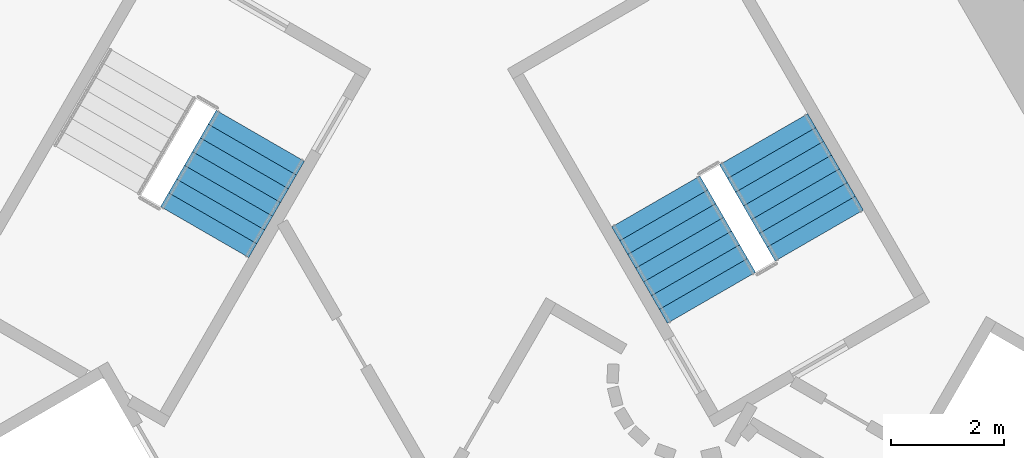
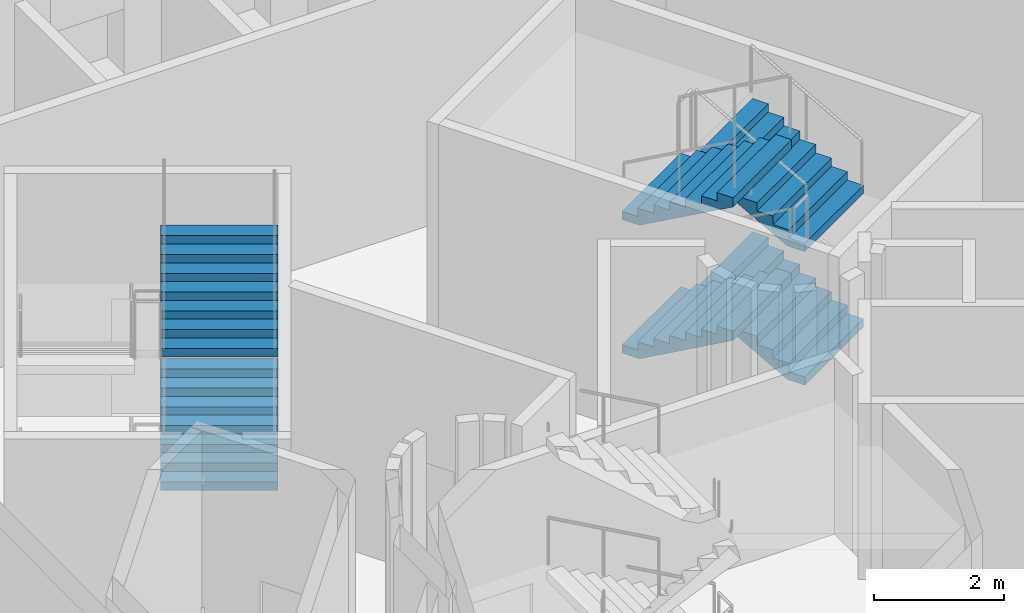
# One storey, part 11 of 16: 6 stair flights, 2 elements without a shape of their own.
"""IFC4 building model written with IfcOpenShell, lengths in metres."""

from ifc_helpers import new_model, si_unit, direction, frame, origin, place, context, subcontext, project, spatial, triangles, material, type_object, element, aggregate, save


model = new_model("IFC4")

# Units and contexts
model_context = context("Model", 3, precision=1e-05, world=origin(), true_north=direction((0.0, 1.0)))
body_context = subcontext(model_context, "Body", "Model", "MODEL_VIEW")
ifc_project = project(units=[si_unit("LENGTHUNIT", "METRE"), si_unit("AREAUNIT", "SQUARE_METRE"), si_unit("VOLUMEUNIT", "CUBIC_METRE"), si_unit("PLANEANGLEUNIT", "RADIAN"), si_unit("MASSUNIT", "GRAM", prefix="KILO")], contexts=[model_context])

# Site, building, storey
site_placement = place(None, origin())
site = spatial("IfcSite", under=ifc_project, at=site_placement, CompositionType="ELEMENT")
building_placement = place(site_placement, origin())
building = spatial("IfcBuilding", under=site, at=building_placement, Name="Entoto Arch Interchange Tower", CompositionType="ELEMENT")
storey_placement = place(building_placement, frame((0.0, 0.0, 25.0)))
storey = spatial("IfcBuildingStorey", under=building, at=storey_placement, Name="L04", CompositionType="ELEMENT", Elevation=25.0)

# Stair, stair flights
ifc_material = material(Name="Concrete C40/50", Category="concrete")
stair_type = type_object("IfcStairType", Name="EXIT STAIR RC 1800", PredefinedType="HALF_TURN_STAIR", material=ifc_material)
stair_1_placement = place(storey_placement, origin())
stair_1 = element("IfcStair", 1, at=stair_1_placement, inside=storey, type_object=stair_type, Name="L04 Exit stair NE", PredefinedType="HALF_TURN_STAIR")
stair_flight_type = type_object("IfcStairFlightType", Name="EXIT STAIR FLIGHT RC 1800", PredefinedType="STRAIGHT", material=ifc_material)
stair_flight_1_placement = place(storey_placement, frame((6.7138671875, 4.470947265625, 0.0), z_axis=(0.0, 0.0, 1.0), x_axis=(-0.5, 0.866025403784, 0.0)))
stair_flight_1 = element("IfcStairFlight", 2, at=stair_flight_1_placement, type_object=stair_flight_type, Name="ST-NE flight 1", NumberOfRisers=8, NumberOfTreads=7, PredefinedType="STRAIGHT", RiserHeight=0.15625, TreadLength=0.28, context=body_context, shape_type="Tessellation", body=[
    triangles([(-0.003, -0.900024, 0.0), (-0.003, -0.900024, 0.15625), (0.28, -0.900024, 0.15625), (0.28, -0.900024, 0.3125), (0.56, -0.900024, 0.3125), (0.56, -0.900024, 0.46875), (0.84, -0.900024, 0.46875), (0.84, -0.900024, 0.625), (1.12, -0.900024, 0.625), (1.12, -0.900024, 0.78125), (1.4, -0.900024, 0.78125), (1.4, -0.900024, 0.9375), (1.68, -0.900024, 0.9375), (1.68, -0.900024, 1.09375), (1.96, -0.900024, 1.09375), (1.963, -0.900024, 1.09375), (1.963, -0.900024, 0.923761), (0.30762, -0.900024, 0.0), (-0.003, 0.900024, 0.0), (-0.003, 0.900024, 0.15625), (0.28, 0.900024, 0.15625), (0.28, 0.900024, 0.3125), (0.56, 0.900024, 0.3125), (0.56, 0.900024, 0.46875), (0.84, 0.900024, 0.46875), (0.84, 0.900024, 0.625), (1.12, 0.900024, 0.625), (1.12, 0.900024, 0.78125), (1.4, 0.900024, 0.78125), (1.4, 0.900024, 0.9375), (1.68, 0.900024, 0.9375), (1.68, 0.900024, 1.09375), (1.96, 0.900024, 1.09375), (1.963, 0.900024, 1.09375), (1.963, 0.900024, 0.923761), (0.30762, 0.900024, 0.0), (-0.003, -0.450012, 0.0), (-0.003, -0.450012, 0.15625), (-0.003, 0.0, 0.0), (-0.003, 0.0, 0.15625), (-0.003, 0.450012, 0.0), (-0.003, 0.450012, 0.15625), (0.28, -0.450012, 0.15625), (0.28, 0.0, 0.15625), (0.28, 0.450012, 0.15625), (0.28, -0.450012, 0.3125), (0.28, 0.0, 0.3125), (0.28, 0.450012, 0.3125), (0.56, -0.450012, 0.3125), (0.56, 0.0, 0.3125), (0.56, 0.450012, 0.3125), (0.56, -0.450012, 0.46875), (0.56, 0.0, 0.46875), (0.56, 0.450012, 0.46875), (0.84, -0.450012, 0.46875), (0.84, 0.0, 0.46875), (0.84, 0.450012, 0.46875), (0.84, -0.450012, 0.625), (0.84, 0.0, 0.625), (0.84, 0.450012, 0.625), (1.12, -0.450012, 0.625), (1.12, 0.0, 0.625), (1.12, 0.450012, 0.625), (1.12, -0.450012, 0.78125), (1.12, 0.0, 0.78125), (1.12, 0.450012, 0.78125), (1.4, -0.450012, 0.78125), (1.4, 0.0, 0.78125), (1.4, 0.450012, 0.78125), (1.4, -0.450012, 0.9375), (1.4, 0.0, 0.9375), (1.4, 0.450012, 0.9375), (1.68, -0.450012, 0.9375), (1.68, 0.0, 0.9375), (1.68, 0.450012, 0.9375), (1.68, -0.450012, 1.09375), (1.68, 0.0, 1.09375), (1.68, 0.450012, 1.09375), (1.96, -0.450012, 1.09375), (1.96, 0.0, 1.09375), (1.96, 0.450012, 1.09375), (1.963, -0.450012, 1.09375), (1.963, 0.0, 1.09375), (1.963, 0.450012, 1.09375), (1.963, -0.450012, 0.923761), (1.963, 0.0, 0.923761), (1.963, 0.450012, 0.923761), (0.30762, -0.450012, 0.0), (0.30762, 0.0, 0.0), (0.30762, 0.450012, 0.0)], [[1, 18, 17], [17, 16, 15], [17, 15, 14], [17, 14, 13], [17, 13, 12], [17, 12, 11], [11, 10, 9], [17, 11, 9], [9, 8, 7], [17, 9, 7], [7, 6, 5], [17, 7, 5], [5, 4, 3], [17, 5, 3], [1, 17, 3], [3, 2, 1], [19, 35, 36], [35, 33, 34], [35, 32, 33], [35, 31, 32], [35, 30, 31], [35, 29, 30], [29, 27, 28], [35, 27, 29], [27, 25, 26], [35, 25, 27], [25, 23, 24], [35, 23, 25], [23, 21, 22], [35, 21, 23], [19, 21, 35], [21, 19, 20], [1, 2, 38], [1, 38, 37], [37, 38, 40], [37, 40, 39], [39, 40, 42], [39, 42, 41], [41, 42, 20], [41, 20, 19], [2, 3, 43], [2, 43, 38], [38, 43, 44], [38, 44, 40], [40, 44, 45], [40, 45, 42], [42, 45, 21], [42, 21, 20], [3, 4, 46], [3, 46, 43], [43, 46, 47], [43, 47, 44], [44, 47, 48], [44, 48, 45], [45, 48, 22], [45, 22, 21], [4, 5, 49], [4, 49, 46], [46, 49, 50], [46, 50, 47], [47, 50, 51], [47, 51, 48], [48, 51, 23], [48, 23, 22], [5, 6, 52], [5, 52, 49], [49, 52, 53], [49, 53, 50], [50, 53, 54], [50, 54, 51], [51, 54, 24], [51, 24, 23], [6, 7, 55], [6, 55, 52], [52, 55, 56], [52, 56, 53], [53, 56, 57], [53, 57, 54], [54, 57, 25], [54, 25, 24], [7, 8, 58], [7, 58, 55], [55, 58, 59], [55, 59, 56], [56, 59, 60], [56, 60, 57], [57, 60, 26], [57, 26, 25], [8, 9, 61], [8, 61, 58], [58, 61, 62], [58, 62, 59], [59, 62, 63], [59, 63, 60], [60, 63, 27], [60, 27, 26], [9, 10, 64], [9, 64, 61], [61, 64, 65], [61, 65, 62], [62, 65, 66], [62, 66, 63], [63, 66, 28], [63, 28, 27], [10, 11, 67], [10, 67, 64], [64, 67, 68], [64, 68, 65], [65, 68, 69], [65, 69, 66], [66, 69, 29], [66, 29, 28], [11, 12, 70], [11, 70, 67], [67, 70, 71], [67, 71, 68], [68, 71, 72], [68, 72, 69], [69, 72, 30], [69, 30, 29], [12, 13, 73], [12, 73, 70], [70, 73, 74], [70, 74, 71], [71, 74, 75], [71, 75, 72], [72, 75, 31], [72, 31, 30], [13, 14, 76], [13, 76, 73], [73, 76, 77], [73, 77, 74], [74, 77, 78], [74, 78, 75], [75, 78, 32], [75, 32, 31], [14, 15, 79], [14, 79, 76], [76, 79, 80], [76, 80, 77], [77, 80, 81], [77, 81, 78], [78, 81, 33], [78, 33, 32], [15, 16, 82], [15, 82, 79], [79, 82, 83], [79, 83, 80], [80, 83, 84], [80, 84, 81], [81, 84, 34], [81, 34, 33], [16, 17, 85], [16, 85, 82], [82, 85, 86], [82, 86, 83], [83, 86, 87], [83, 87, 84], [84, 87, 35], [84, 35, 34], [17, 18, 88], [17, 88, 85], [85, 88, 89], [85, 89, 86], [86, 89, 90], [86, 90, 87], [87, 90, 36], [87, 36, 35], [18, 1, 37], [18, 37, 88], [88, 37, 39], [88, 39, 89], [89, 39, 41], [89, 41, 90], [90, 41, 19], [90, 19, 36]], closed=True),
])
stair_flight_2_placement = place(storey_placement, frame((3.82861328125, 5.068359375, 1.25), z_axis=(0.0, 0.0, 1.0), x_axis=(0.5, -0.866025403784, 0.0)))
stair_flight_2 = element("IfcStairFlight", 3, at=stair_flight_2_placement, type_object=stair_flight_type, Name="ST-NE flight 2", NumberOfRisers=8, NumberOfTreads=7, PredefinedType="STRAIGHT", RiserHeight=0.15625, TreadLength=0.28, context=body_context, shape_type="Tessellation", body=[
    triangles([(-0.003, -0.900024, 0.0), (-0.003, -0.900024, 0.15625), (0.28, -0.900024, 0.15625), (0.28, -0.900024, 0.3125), (0.56, -0.900024, 0.3125), (0.56, -0.900024, 0.46875), (0.84, -0.900024, 0.46875), (0.84, -0.900024, 0.625), (1.12, -0.900024, 0.625), (1.12, -0.900024, 0.78125), (1.4, -0.900024, 0.78125), (1.4, -0.900024, 0.9375), (1.68, -0.900024, 0.9375), (1.68, -0.900024, 1.09375), (1.96, -0.900024, 1.09375), (1.963, -0.900024, 1.09375), (1.963, -0.900024, 0.923761), (0.30762, -0.900024, 0.0), (-0.003, 0.900024, 0.0), (-0.003, 0.900024, 0.15625), (0.28, 0.900024, 0.15625), (0.28, 0.900024, 0.3125), (0.56, 0.900024, 0.3125), (0.56, 0.900024, 0.46875), (0.84, 0.900024, 0.46875), (0.84, 0.900024, 0.625), (1.12, 0.900024, 0.625), (1.12, 0.900024, 0.78125), (1.4, 0.900024, 0.78125), (1.4, 0.900024, 0.9375), (1.68, 0.900024, 0.9375), (1.68, 0.900024, 1.09375), (1.96, 0.900024, 1.09375), (1.963, 0.900024, 1.09375), (1.963, 0.900024, 0.923761), (0.30762, 0.900024, 0.0), (-0.003, -0.450012, 0.0), (-0.003, -0.450012, 0.15625), (-0.003, 0.0, 0.0), (-0.003, 0.0, 0.15625), (-0.003, 0.450012, 0.0), (-0.003, 0.450012, 0.15625), (0.28, -0.450012, 0.15625), (0.28, 0.0, 0.15625), (0.28, 0.450012, 0.15625), (0.28, -0.450012, 0.3125), (0.28, 0.0, 0.3125), (0.28, 0.450012, 0.3125), (0.56, -0.450012, 0.3125), (0.56, 0.0, 0.3125), (0.56, 0.450012, 0.3125), (0.56, -0.450012, 0.46875), (0.56, 0.0, 0.46875), (0.56, 0.450012, 0.46875), (0.84, -0.450012, 0.46875), (0.84, 0.0, 0.46875), (0.84, 0.450012, 0.46875), (0.84, -0.450012, 0.625), (0.84, 0.0, 0.625), (0.84, 0.450012, 0.625), (1.12, -0.450012, 0.625), (1.12, 0.0, 0.625), (1.12, 0.450012, 0.625), (1.12, -0.450012, 0.78125), (1.12, 0.0, 0.78125), (1.12, 0.450012, 0.78125), (1.4, -0.450012, 0.78125), (1.4, 0.0, 0.78125), (1.4, 0.450012, 0.78125), (1.4, -0.450012, 0.9375), (1.4, 0.0, 0.9375), (1.4, 0.450012, 0.9375), (1.68, -0.450012, 0.9375), (1.68, 0.0, 0.9375), (1.68, 0.450012, 0.9375), (1.68, -0.450012, 1.09375), (1.68, 0.0, 1.09375), (1.68, 0.450012, 1.09375), (1.96, -0.450012, 1.09375), (1.96, 0.0, 1.09375), (1.96, 0.450012, 1.09375), (1.963, -0.450012, 1.09375), (1.963, 0.0, 1.09375), (1.963, 0.450012, 1.09375), (1.963, -0.450012, 0.923761), (1.963, 0.0, 0.923761), (1.963, 0.450012, 0.923761), (0.30762, -0.450012, 0.0), (0.30762, 0.0, 0.0), (0.30762, 0.450012, 0.0)], [[1, 18, 17], [17, 16, 15], [17, 15, 14], [17, 14, 13], [17, 13, 12], [17, 12, 11], [11, 10, 9], [17, 11, 9], [9, 8, 7], [17, 9, 7], [7, 6, 5], [17, 7, 5], [5, 4, 3], [17, 5, 3], [1, 17, 3], [3, 2, 1], [19, 35, 36], [35, 33, 34], [35, 32, 33], [35, 31, 32], [35, 30, 31], [35, 29, 30], [29, 27, 28], [35, 27, 29], [27, 25, 26], [35, 25, 27], [25, 23, 24], [35, 23, 25], [23, 21, 22], [35, 21, 23], [19, 21, 35], [21, 19, 20], [1, 2, 38], [1, 38, 37], [37, 38, 40], [37, 40, 39], [39, 40, 42], [39, 42, 41], [41, 42, 20], [41, 20, 19], [2, 3, 43], [2, 43, 38], [38, 43, 44], [38, 44, 40], [40, 44, 45], [40, 45, 42], [42, 45, 21], [42, 21, 20], [3, 4, 46], [3, 46, 43], [43, 46, 47], [43, 47, 44], [44, 47, 48], [44, 48, 45], [45, 48, 22], [45, 22, 21], [4, 5, 49], [4, 49, 46], [46, 49, 50], [46, 50, 47], [47, 50, 51], [47, 51, 48], [48, 51, 23], [48, 23, 22], [5, 6, 52], [5, 52, 49], [49, 52, 53], [49, 53, 50], [50, 53, 54], [50, 54, 51], [51, 54, 24], [51, 24, 23], [6, 7, 55], [6, 55, 52], [52, 55, 56], [52, 56, 53], [53, 56, 57], [53, 57, 54], [54, 57, 25], [54, 25, 24], [7, 8, 58], [7, 58, 55], [55, 58, 59], [55, 59, 56], [56, 59, 60], [56, 60, 57], [57, 60, 26], [57, 26, 25], [8, 9, 61], [8, 61, 58], [58, 61, 62], [58, 62, 59], [59, 62, 63], [59, 63, 60], [60, 63, 27], [60, 27, 26], [9, 10, 64], [9, 64, 61], [61, 64, 65], [61, 65, 62], [62, 65, 66], [62, 66, 63], [63, 66, 28], [63, 28, 27], [10, 11, 67], [10, 67, 64], [64, 67, 68], [64, 68, 65], [65, 68, 69], [65, 69, 66], [66, 69, 29], [66, 29, 28], [11, 12, 70], [11, 70, 67], [67, 70, 71], [67, 71, 68], [68, 71, 72], [68, 72, 69], [69, 72, 30], [69, 30, 29], [12, 13, 73], [12, 73, 70], [70, 73, 74], [70, 74, 71], [71, 74, 75], [71, 75, 72], [72, 75, 31], [72, 31, 30], [13, 14, 76], [13, 76, 73], [73, 76, 77], [73, 77, 74], [74, 77, 78], [74, 78, 75], [75, 78, 32], [75, 32, 31], [14, 15, 79], [14, 79, 76], [76, 79, 80], [76, 80, 77], [77, 80, 81], [77, 81, 78], [78, 81, 33], [78, 33, 32], [15, 16, 82], [15, 82, 79], [79, 82, 83], [79, 83, 80], [80, 83, 84], [80, 84, 81], [81, 84, 34], [81, 34, 33], [16, 17, 85], [16, 85, 82], [82, 85, 86], [82, 86, 83], [83, 86, 87], [83, 87, 84], [84, 87, 35], [84, 35, 34], [17, 18, 88], [17, 88, 85], [85, 88, 89], [85, 89, 86], [86, 89, 90], [86, 90, 87], [87, 90, 36], [87, 36, 35], [18, 1, 37], [18, 37, 88], [88, 37, 39], [88, 39, 89], [89, 39, 41], [89, 41, 90], [90, 41, 19], [90, 19, 36]], closed=True),
])
stair_flight_3_placement = place(storey_placement, frame((6.7138671875, 4.470947265625, 2.5), z_axis=(0.0, 0.0, 1.0), x_axis=(-0.5, 0.866025403784, 0.0)))
stair_flight_3 = element("IfcStairFlight", 4, at=stair_flight_3_placement, type_object=stair_flight_type, Name="ST-NE flight 3", NumberOfRisers=8, NumberOfTreads=7, PredefinedType="STRAIGHT", RiserHeight=0.15625, TreadLength=0.28, context=body_context, shape_type="Tessellation", body=[
    triangles([(-0.003, -0.900024, 0.0), (-0.003, -0.900024, 0.15625), (0.28, -0.900024, 0.15625), (0.28, -0.900024, 0.3125), (0.56, -0.900024, 0.3125), (0.56, -0.900024, 0.46875), (0.84, -0.900024, 0.46875), (0.84, -0.900024, 0.625), (1.12, -0.900024, 0.625), (1.12, -0.900024, 0.78125), (1.4, -0.900024, 0.78125), (1.4, -0.900024, 0.9375), (1.68, -0.900024, 0.9375), (1.68, -0.900024, 1.09375), (1.96, -0.900024, 1.09375), (1.963, -0.900024, 1.09375), (1.963, -0.900024, 0.923761), (0.30762, -0.900024, 0.0), (-0.003, 0.900024, 0.0), (-0.003, 0.900024, 0.15625), (0.28, 0.900024, 0.15625), (0.28, 0.900024, 0.3125), (0.56, 0.900024, 0.3125), (0.56, 0.900024, 0.46875), (0.84, 0.900024, 0.46875), (0.84, 0.900024, 0.625), (1.12, 0.900024, 0.625), (1.12, 0.900024, 0.78125), (1.4, 0.900024, 0.78125), (1.4, 0.900024, 0.9375), (1.68, 0.900024, 0.9375), (1.68, 0.900024, 1.09375), (1.96, 0.900024, 1.09375), (1.963, 0.900024, 1.09375), (1.963, 0.900024, 0.923761), (0.30762, 0.900024, 0.0), (-0.003, -0.450012, 0.0), (-0.003, -0.450012, 0.15625), (-0.003, 0.0, 0.0), (-0.003, 0.0, 0.15625), (-0.003, 0.450012, 0.0), (-0.003, 0.450012, 0.15625), (0.28, -0.450012, 0.15625), (0.28, 0.0, 0.15625), (0.28, 0.450012, 0.15625), (0.28, -0.450012, 0.3125), (0.28, 0.0, 0.3125), (0.28, 0.450012, 0.3125), (0.56, -0.450012, 0.3125), (0.56, 0.0, 0.3125), (0.56, 0.450012, 0.3125), (0.56, -0.450012, 0.46875), (0.56, 0.0, 0.46875), (0.56, 0.450012, 0.46875), (0.84, -0.450012, 0.46875), (0.84, 0.0, 0.46875), (0.84, 0.450012, 0.46875), (0.84, -0.450012, 0.625), (0.84, 0.0, 0.625), (0.84, 0.450012, 0.625), (1.12, -0.450012, 0.625), (1.12, 0.0, 0.625), (1.12, 0.450012, 0.625), (1.12, -0.450012, 0.78125), (1.12, 0.0, 0.78125), (1.12, 0.450012, 0.78125), (1.4, -0.450012, 0.78125), (1.4, 0.0, 0.78125), (1.4, 0.450012, 0.78125), (1.4, -0.450012, 0.9375), (1.4, 0.0, 0.9375), (1.4, 0.450012, 0.9375), (1.68, -0.450012, 0.9375), (1.68, 0.0, 0.9375), (1.68, 0.450012, 0.9375), (1.68, -0.450012, 1.09375), (1.68, 0.0, 1.09375), (1.68, 0.450012, 1.09375), (1.96, -0.450012, 1.09375), (1.96, 0.0, 1.09375), (1.96, 0.450012, 1.09375), (1.963, -0.450012, 1.09375), (1.963, 0.0, 1.09375), (1.963, 0.450012, 1.09375), (1.963, -0.450012, 0.923761), (1.963, 0.0, 0.923761), (1.963, 0.450012, 0.923761), (0.30762, -0.450012, 0.0), (0.30762, 0.0, 0.0), (0.30762, 0.450012, 0.0)], [[1, 18, 17], [17, 16, 15], [17, 15, 14], [17, 14, 13], [17, 13, 12], [17, 12, 11], [11, 10, 9], [17, 11, 9], [9, 8, 7], [17, 9, 7], [7, 6, 5], [17, 7, 5], [5, 4, 3], [17, 5, 3], [1, 17, 3], [3, 2, 1], [19, 35, 36], [35, 33, 34], [35, 32, 33], [35, 31, 32], [35, 30, 31], [35, 29, 30], [29, 27, 28], [35, 27, 29], [27, 25, 26], [35, 25, 27], [25, 23, 24], [35, 23, 25], [23, 21, 22], [35, 21, 23], [19, 21, 35], [21, 19, 20], [1, 2, 38], [1, 38, 37], [37, 38, 40], [37, 40, 39], [39, 40, 42], [39, 42, 41], [41, 42, 20], [41, 20, 19], [2, 3, 43], [2, 43, 38], [38, 43, 44], [38, 44, 40], [40, 44, 45], [40, 45, 42], [42, 45, 21], [42, 21, 20], [3, 4, 46], [3, 46, 43], [43, 46, 47], [43, 47, 44], [44, 47, 48], [44, 48, 45], [45, 48, 22], [45, 22, 21], [4, 5, 49], [4, 49, 46], [46, 49, 50], [46, 50, 47], [47, 50, 51], [47, 51, 48], [48, 51, 23], [48, 23, 22], [5, 6, 52], [5, 52, 49], [49, 52, 53], [49, 53, 50], [50, 53, 54], [50, 54, 51], [51, 54, 24], [51, 24, 23], [6, 7, 55], [6, 55, 52], [52, 55, 56], [52, 56, 53], [53, 56, 57], [53, 57, 54], [54, 57, 25], [54, 25, 24], [7, 8, 58], [7, 58, 55], [55, 58, 59], [55, 59, 56], [56, 59, 60], [56, 60, 57], [57, 60, 26], [57, 26, 25], [8, 9, 61], [8, 61, 58], [58, 61, 62], [58, 62, 59], [59, 62, 63], [59, 63, 60], [60, 63, 27], [60, 27, 26], [9, 10, 64], [9, 64, 61], [61, 64, 65], [61, 65, 62], [62, 65, 66], [62, 66, 63], [63, 66, 28], [63, 28, 27], [10, 11, 67], [10, 67, 64], [64, 67, 68], [64, 68, 65], [65, 68, 69], [65, 69, 66], [66, 69, 29], [66, 29, 28], [11, 12, 70], [11, 70, 67], [67, 70, 71], [67, 71, 68], [68, 71, 72], [68, 72, 69], [69, 72, 30], [69, 30, 29], [12, 13, 73], [12, 73, 70], [70, 73, 74], [70, 74, 71], [71, 74, 75], [71, 75, 72], [72, 75, 31], [72, 31, 30], [13, 14, 76], [13, 76, 73], [73, 76, 77], [73, 77, 74], [74, 77, 78], [74, 78, 75], [75, 78, 32], [75, 32, 31], [14, 15, 79], [14, 79, 76], [76, 79, 80], [76, 80, 77], [77, 80, 81], [77, 81, 78], [78, 81, 33], [78, 33, 32], [15, 16, 82], [15, 82, 79], [79, 82, 83], [79, 83, 80], [80, 83, 84], [80, 84, 81], [81, 84, 34], [81, 34, 33], [16, 17, 85], [16, 85, 82], [82, 85, 86], [82, 86, 83], [83, 86, 87], [83, 87, 84], [84, 87, 35], [84, 35, 34], [17, 18, 88], [17, 88, 85], [85, 88, 89], [85, 89, 86], [86, 89, 90], [86, 90, 87], [87, 90, 36], [87, 36, 35], [18, 1, 37], [18, 37, 88], [88, 37, 39], [88, 39, 89], [89, 39, 41], [89, 41, 90], [90, 41, 19], [90, 19, 36]], closed=True),
])
stair_flight_4_placement = place(storey_placement, frame((3.82861328125, 5.068359375, 3.75), z_axis=(0.0, 0.0, 1.0), x_axis=(0.5, -0.866025403784, 0.0)))
stair_flight_4 = element("IfcStairFlight", 5, at=stair_flight_4_placement, type_object=stair_flight_type, Name="ST-NE flight 4", NumberOfRisers=8, NumberOfTreads=7, PredefinedType="STRAIGHT", RiserHeight=0.15625, TreadLength=0.28, context=body_context, shape_type="Tessellation", body=[
    triangles([(-0.003, -0.900024, 0.0), (-0.003, -0.900024, 0.15625), (0.28, -0.900024, 0.15625), (0.28, -0.900024, 0.3125), (0.56, -0.900024, 0.3125), (0.56, -0.900024, 0.46875), (0.84, -0.900024, 0.46875), (0.84, -0.900024, 0.625), (1.12, -0.900024, 0.625), (1.12, -0.900024, 0.78125), (1.4, -0.900024, 0.78125), (1.4, -0.900024, 0.9375), (1.68, -0.900024, 0.9375), (1.68, -0.900024, 1.09375), (1.96, -0.900024, 1.09375), (1.963, -0.900024, 1.09375), (1.963, -0.900024, 0.923761), (0.30762, -0.900024, 0.0), (-0.003, 0.900024, 0.0), (-0.003, 0.900024, 0.15625), (0.28, 0.900024, 0.15625), (0.28, 0.900024, 0.3125), (0.56, 0.900024, 0.3125), (0.56, 0.900024, 0.46875), (0.84, 0.900024, 0.46875), (0.84, 0.900024, 0.625), (1.12, 0.900024, 0.625), (1.12, 0.900024, 0.78125), (1.4, 0.900024, 0.78125), (1.4, 0.900024, 0.9375), (1.68, 0.900024, 0.9375), (1.68, 0.900024, 1.09375), (1.96, 0.900024, 1.09375), (1.963, 0.900024, 1.09375), (1.963, 0.900024, 0.923761), (0.30762, 0.900024, 0.0), (-0.003, -0.450012, 0.0), (-0.003, -0.450012, 0.15625), (-0.003, 0.0, 0.0), (-0.003, 0.0, 0.15625), (-0.003, 0.450012, 0.0), (-0.003, 0.450012, 0.15625), (0.28, -0.450012, 0.15625), (0.28, 0.0, 0.15625), (0.28, 0.450012, 0.15625), (0.28, -0.450012, 0.3125), (0.28, 0.0, 0.3125), (0.28, 0.450012, 0.3125), (0.56, -0.450012, 0.3125), (0.56, 0.0, 0.3125), (0.56, 0.450012, 0.3125), (0.56, -0.450012, 0.46875), (0.56, 0.0, 0.46875), (0.56, 0.450012, 0.46875), (0.84, -0.450012, 0.46875), (0.84, 0.0, 0.46875), (0.84, 0.450012, 0.46875), (0.84, -0.450012, 0.625), (0.84, 0.0, 0.625), (0.84, 0.450012, 0.625), (1.12, -0.450012, 0.625), (1.12, 0.0, 0.625), (1.12, 0.450012, 0.625), (1.12, -0.450012, 0.78125), (1.12, 0.0, 0.78125), (1.12, 0.450012, 0.78125), (1.4, -0.450012, 0.78125), (1.4, 0.0, 0.78125), (1.4, 0.450012, 0.78125), (1.4, -0.450012, 0.9375), (1.4, 0.0, 0.9375), (1.4, 0.450012, 0.9375), (1.68, -0.450012, 0.9375), (1.68, 0.0, 0.9375), (1.68, 0.450012, 0.9375), (1.68, -0.450012, 1.09375), (1.68, 0.0, 1.09375), (1.68, 0.450012, 1.09375), (1.96, -0.450012, 1.09375), (1.96, 0.0, 1.09375), (1.96, 0.450012, 1.09375), (1.963, -0.450012, 1.09375), (1.963, 0.0, 1.09375), (1.963, 0.450012, 1.09375), (1.963, -0.450012, 0.923761), (1.963, 0.0, 0.923761), (1.963, 0.450012, 0.923761), (0.30762, -0.450012, 0.0), (0.30762, 0.0, 0.0), (0.30762, 0.450012, 0.0)], [[1, 18, 17], [17, 16, 15], [17, 15, 14], [17, 14, 13], [17, 13, 12], [17, 12, 11], [11, 10, 9], [17, 11, 9], [9, 8, 7], [17, 9, 7], [7, 6, 5], [17, 7, 5], [5, 4, 3], [17, 5, 3], [1, 17, 3], [3, 2, 1], [19, 35, 36], [35, 33, 34], [35, 32, 33], [35, 31, 32], [35, 30, 31], [35, 29, 30], [29, 27, 28], [35, 27, 29], [27, 25, 26], [35, 25, 27], [25, 23, 24], [35, 23, 25], [23, 21, 22], [35, 21, 23], [19, 21, 35], [21, 19, 20], [1, 2, 38], [1, 38, 37], [37, 38, 40], [37, 40, 39], [39, 40, 42], [39, 42, 41], [41, 42, 20], [41, 20, 19], [2, 3, 43], [2, 43, 38], [38, 43, 44], [38, 44, 40], [40, 44, 45], [40, 45, 42], [42, 45, 21], [42, 21, 20], [3, 4, 46], [3, 46, 43], [43, 46, 47], [43, 47, 44], [44, 47, 48], [44, 48, 45], [45, 48, 22], [45, 22, 21], [4, 5, 49], [4, 49, 46], [46, 49, 50], [46, 50, 47], [47, 50, 51], [47, 51, 48], [48, 51, 23], [48, 23, 22], [5, 6, 52], [5, 52, 49], [49, 52, 53], [49, 53, 50], [50, 53, 54], [50, 54, 51], [51, 54, 24], [51, 24, 23], [6, 7, 55], [6, 55, 52], [52, 55, 56], [52, 56, 53], [53, 56, 57], [53, 57, 54], [54, 57, 25], [54, 25, 24], [7, 8, 58], [7, 58, 55], [55, 58, 59], [55, 59, 56], [56, 59, 60], [56, 60, 57], [57, 60, 26], [57, 26, 25], [8, 9, 61], [8, 61, 58], [58, 61, 62], [58, 62, 59], [59, 62, 63], [59, 63, 60], [60, 63, 27], [60, 27, 26], [9, 10, 64], [9, 64, 61], [61, 64, 65], [61, 65, 62], [62, 65, 66], [62, 66, 63], [63, 66, 28], [63, 28, 27], [10, 11, 67], [10, 67, 64], [64, 67, 68], [64, 68, 65], [65, 68, 69], [65, 69, 66], [66, 69, 29], [66, 29, 28], [11, 12, 70], [11, 70, 67], [67, 70, 71], [67, 71, 68], [68, 71, 72], [68, 72, 69], [69, 72, 30], [69, 30, 29], [12, 13, 73], [12, 73, 70], [70, 73, 74], [70, 74, 71], [71, 74, 75], [71, 75, 72], [72, 75, 31], [72, 31, 30], [13, 14, 76], [13, 76, 73], [73, 76, 77], [73, 77, 74], [74, 77, 78], [74, 78, 75], [75, 78, 32], [75, 32, 31], [14, 15, 79], [14, 79, 76], [76, 79, 80], [76, 80, 77], [77, 80, 81], [77, 81, 78], [78, 81, 33], [78, 33, 32], [15, 16, 82], [15, 82, 79], [79, 82, 83], [79, 83, 80], [80, 83, 84], [80, 84, 81], [81, 84, 34], [81, 34, 33], [16, 17, 85], [16, 85, 82], [82, 85, 86], [82, 86, 83], [83, 86, 87], [83, 87, 84], [84, 87, 35], [84, 35, 34], [17, 18, 88], [17, 88, 85], [85, 88, 89], [85, 89, 86], [86, 89, 90], [86, 90, 87], [87, 90, 36], [87, 36, 35], [18, 1, 37], [18, 37, 88], [88, 37, 39], [88, 39, 89], [89, 39, 41], [89, 41, 90], [90, 41, 19], [90, 19, 36]], closed=True),
])
aggregate(stair_1, [stair_flight_1, stair_flight_2, stair_flight_3, stair_flight_4])

stair_2_placement = place(storey_placement, origin())
stair_2 = element("IfcStair", 6, at=stair_2_placement, inside=storey, type_object=stair_type, Name="L04 Exit stair NW", PredefinedType="HALF_TURN_STAIR")
stair_flight_5_placement = place(storey_placement, frame((-4.138671875, 4.531494140625, 1.25), z_axis=(0.0, 0.0, 1.0), x_axis=(0.5, 0.866025403784, 0.0)))
stair_flight_5 = element("IfcStairFlight", 7, at=stair_flight_5_placement, type_object=stair_flight_type, Name="ST-NW flight 2", NumberOfRisers=8, NumberOfTreads=7, PredefinedType="STRAIGHT", RiserHeight=0.15625, TreadLength=0.28, context=body_context, shape_type="Tessellation", body=[
    triangles([(-0.003, -0.900024, 0.0), (-0.003, -0.900024, 0.15625), (0.28, -0.900024, 0.15625), (0.28, -0.900024, 0.3125), (0.56, -0.900024, 0.3125), (0.56, -0.900024, 0.46875), (0.84, -0.900024, 0.46875), (0.84, -0.900024, 0.625), (1.12, -0.900024, 0.625), (1.12, -0.900024, 0.78125), (1.4, -0.900024, 0.78125), (1.4, -0.900024, 0.9375), (1.68, -0.900024, 0.9375), (1.68, -0.900024, 1.09375), (1.96, -0.900024, 1.09375), (1.963, -0.900024, 1.09375), (1.963, -0.900024, 0.923761), (0.30762, -0.900024, 0.0), (-0.003, 0.900024, 0.0), (-0.003, 0.900024, 0.15625), (0.28, 0.900024, 0.15625), (0.28, 0.900024, 0.3125), (0.56, 0.900024, 0.3125), (0.56, 0.900024, 0.46875), (0.84, 0.900024, 0.46875), (0.84, 0.900024, 0.625), (1.12, 0.900024, 0.625), (1.12, 0.900024, 0.78125), (1.4, 0.900024, 0.78125), (1.4, 0.900024, 0.9375), (1.68, 0.900024, 0.9375), (1.68, 0.900024, 1.09375), (1.96, 0.900024, 1.09375), (1.963, 0.900024, 1.09375), (1.963, 0.900024, 0.923761), (0.30762, 0.900024, 0.0), (-0.003, -0.450012, 0.0), (-0.003, -0.450012, 0.15625), (-0.003, 0.0, 0.0), (-0.003, 0.0, 0.15625), (-0.003, 0.450012, 0.0), (-0.003, 0.450012, 0.15625), (0.28, -0.450012, 0.15625), (0.28, 0.0, 0.15625), (0.28, 0.450012, 0.15625), (0.28, -0.450012, 0.3125), (0.28, 0.0, 0.3125), (0.28, 0.450012, 0.3125), (0.56, -0.450012, 0.3125), (0.56, 0.0, 0.3125), (0.56, 0.450012, 0.3125), (0.56, -0.450012, 0.46875), (0.56, 0.0, 0.46875), (0.56, 0.450012, 0.46875), (0.84, -0.450012, 0.46875), (0.84, 0.0, 0.46875), (0.84, 0.450012, 0.46875), (0.84, -0.450012, 0.625), (0.84, 0.0, 0.625), (0.84, 0.450012, 0.625), (1.12, -0.450012, 0.625), (1.12, 0.0, 0.625), (1.12, 0.450012, 0.625), (1.12, -0.450012, 0.78125), (1.12, 0.0, 0.78125), (1.12, 0.450012, 0.78125), (1.4, -0.450012, 0.78125), (1.4, 0.0, 0.78125), (1.4, 0.450012, 0.78125), (1.4, -0.450012, 0.9375), (1.4, 0.0, 0.9375), (1.4, 0.450012, 0.9375), (1.68, -0.450012, 0.9375), (1.68, 0.0, 0.9375), (1.68, 0.450012, 0.9375), (1.68, -0.450012, 1.09375), (1.68, 0.0, 1.09375), (1.68, 0.450012, 1.09375), (1.96, -0.450012, 1.09375), (1.96, 0.0, 1.09375), (1.96, 0.450012, 1.09375), (1.963, -0.450012, 1.09375), (1.963, 0.0, 1.09375), (1.963, 0.450012, 1.09375), (1.963, -0.450012, 0.923761), (1.963, 0.0, 0.923761), (1.963, 0.450012, 0.923761), (0.30762, -0.450012, 0.0), (0.30762, 0.0, 0.0), (0.30762, 0.450012, 0.0)], [[1, 18, 17], [17, 16, 15], [17, 15, 14], [17, 14, 13], [17, 13, 12], [17, 12, 11], [11, 10, 9], [17, 11, 9], [9, 8, 7], [17, 9, 7], [7, 6, 5], [17, 7, 5], [5, 4, 3], [17, 5, 3], [1, 17, 3], [3, 2, 1], [19, 35, 36], [35, 33, 34], [35, 32, 33], [35, 31, 32], [35, 30, 31], [35, 29, 30], [29, 27, 28], [35, 27, 29], [27, 25, 26], [35, 25, 27], [25, 23, 24], [35, 23, 25], [23, 21, 22], [35, 21, 23], [19, 21, 35], [21, 19, 20], [1, 2, 38], [1, 38, 37], [37, 38, 40], [37, 40, 39], [39, 40, 42], [39, 42, 41], [41, 42, 20], [41, 20, 19], [2, 3, 43], [2, 43, 38], [38, 43, 44], [38, 44, 40], [40, 44, 45], [40, 45, 42], [42, 45, 21], [42, 21, 20], [3, 4, 46], [3, 46, 43], [43, 46, 47], [43, 47, 44], [44, 47, 48], [44, 48, 45], [45, 48, 22], [45, 22, 21], [4, 5, 49], [4, 49, 46], [46, 49, 50], [46, 50, 47], [47, 50, 51], [47, 51, 48], [48, 51, 23], [48, 23, 22], [5, 6, 52], [5, 52, 49], [49, 52, 53], [49, 53, 50], [50, 53, 54], [50, 54, 51], [51, 54, 24], [51, 24, 23], [6, 7, 55], [6, 55, 52], [52, 55, 56], [52, 56, 53], [53, 56, 57], [53, 57, 54], [54, 57, 25], [54, 25, 24], [7, 8, 58], [7, 58, 55], [55, 58, 59], [55, 59, 56], [56, 59, 60], [56, 60, 57], [57, 60, 26], [57, 26, 25], [8, 9, 61], [8, 61, 58], [58, 61, 62], [58, 62, 59], [59, 62, 63], [59, 63, 60], [60, 63, 27], [60, 27, 26], [9, 10, 64], [9, 64, 61], [61, 64, 65], [61, 65, 62], [62, 65, 66], [62, 66, 63], [63, 66, 28], [63, 28, 27], [10, 11, 67], [10, 67, 64], [64, 67, 68], [64, 68, 65], [65, 68, 69], [65, 69, 66], [66, 69, 29], [66, 29, 28], [11, 12, 70], [11, 70, 67], [67, 70, 71], [67, 71, 68], [68, 71, 72], [68, 72, 69], [69, 72, 30], [69, 30, 29], [12, 13, 73], [12, 73, 70], [70, 73, 74], [70, 74, 71], [71, 74, 75], [71, 75, 72], [72, 75, 31], [72, 31, 30], [13, 14, 76], [13, 76, 73], [73, 76, 77], [73, 77, 74], [74, 77, 78], [74, 78, 75], [75, 78, 32], [75, 32, 31], [14, 15, 79], [14, 79, 76], [76, 79, 80], [76, 80, 77], [77, 80, 81], [77, 81, 78], [78, 81, 33], [78, 33, 32], [15, 16, 82], [15, 82, 79], [79, 82, 83], [79, 83, 80], [80, 83, 84], [80, 84, 81], [81, 84, 34], [81, 34, 33], [16, 17, 85], [16, 85, 82], [82, 85, 86], [82, 86, 83], [83, 86, 87], [83, 87, 84], [84, 87, 35], [84, 35, 34], [17, 18, 88], [17, 88, 85], [85, 88, 89], [85, 89, 86], [86, 89, 90], [86, 90, 87], [87, 90, 36], [87, 36, 35], [18, 1, 37], [18, 37, 88], [88, 37, 39], [88, 39, 89], [89, 39, 41], [89, 41, 90], [90, 41, 19], [90, 19, 36]], closed=True),
])
stair_flight_6_placement = place(storey_placement, frame((-4.138671875, 4.531494140625, 3.75), z_axis=(0.0, 0.0, 1.0), x_axis=(0.5, 0.866025403784, 0.0)))
stair_flight_6 = element("IfcStairFlight", 8, at=stair_flight_6_placement, type_object=stair_flight_type, Name="ST-NW flight 4", NumberOfRisers=8, NumberOfTreads=7, PredefinedType="STRAIGHT", RiserHeight=0.15625, TreadLength=0.28, context=body_context, shape_type="Tessellation", body=[
    triangles([(-0.003, -0.900024, 0.0), (-0.003, -0.900024, 0.15625), (0.28, -0.900024, 0.15625), (0.28, -0.900024, 0.3125), (0.56, -0.900024, 0.3125), (0.56, -0.900024, 0.46875), (0.84, -0.900024, 0.46875), (0.84, -0.900024, 0.625), (1.12, -0.900024, 0.625), (1.12, -0.900024, 0.78125), (1.4, -0.900024, 0.78125), (1.4, -0.900024, 0.9375), (1.68, -0.900024, 0.9375), (1.68, -0.900024, 1.09375), (1.96, -0.900024, 1.09375), (1.963, -0.900024, 1.09375), (1.963, -0.900024, 0.923761), (0.30762, -0.900024, 0.0), (-0.003, 0.900024, 0.0), (-0.003, 0.900024, 0.15625), (0.28, 0.900024, 0.15625), (0.28, 0.900024, 0.3125), (0.56, 0.900024, 0.3125), (0.56, 0.900024, 0.46875), (0.84, 0.900024, 0.46875), (0.84, 0.900024, 0.625), (1.12, 0.900024, 0.625), (1.12, 0.900024, 0.78125), (1.4, 0.900024, 0.78125), (1.4, 0.900024, 0.9375), (1.68, 0.900024, 0.9375), (1.68, 0.900024, 1.09375), (1.96, 0.900024, 1.09375), (1.963, 0.900024, 1.09375), (1.963, 0.900024, 0.923761), (0.30762, 0.900024, 0.0), (-0.003, -0.450012, 0.0), (-0.003, -0.450012, 0.15625), (-0.003, 0.0, 0.0), (-0.003, 0.0, 0.15625), (-0.003, 0.450012, 0.0), (-0.003, 0.450012, 0.15625), (0.28, -0.450012, 0.15625), (0.28, 0.0, 0.15625), (0.28, 0.450012, 0.15625), (0.28, -0.450012, 0.3125), (0.28, 0.0, 0.3125), (0.28, 0.450012, 0.3125), (0.56, -0.450012, 0.3125), (0.56, 0.0, 0.3125), (0.56, 0.450012, 0.3125), (0.56, -0.450012, 0.46875), (0.56, 0.0, 0.46875), (0.56, 0.450012, 0.46875), (0.84, -0.450012, 0.46875), (0.84, 0.0, 0.46875), (0.84, 0.450012, 0.46875), (0.84, -0.450012, 0.625), (0.84, 0.0, 0.625), (0.84, 0.450012, 0.625), (1.12, -0.450012, 0.625), (1.12, 0.0, 0.625), (1.12, 0.450012, 0.625), (1.12, -0.450012, 0.78125), (1.12, 0.0, 0.78125), (1.12, 0.450012, 0.78125), (1.4, -0.450012, 0.78125), (1.4, 0.0, 0.78125), (1.4, 0.450012, 0.78125), (1.4, -0.450012, 0.9375), (1.4, 0.0, 0.9375), (1.4, 0.450012, 0.9375), (1.68, -0.450012, 0.9375), (1.68, 0.0, 0.9375), (1.68, 0.450012, 0.9375), (1.68, -0.450012, 1.09375), (1.68, 0.0, 1.09375), (1.68, 0.450012, 1.09375), (1.96, -0.450012, 1.09375), (1.96, 0.0, 1.09375), (1.96, 0.450012, 1.09375), (1.963, -0.450012, 1.09375), (1.963, 0.0, 1.09375), (1.963, 0.450012, 1.09375), (1.963, -0.450012, 0.923761), (1.963, 0.0, 0.923761), (1.963, 0.450012, 0.923761), (0.30762, -0.450012, 0.0), (0.30762, 0.0, 0.0), (0.30762, 0.450012, 0.0)], [[1, 18, 17], [17, 16, 15], [17, 15, 14], [17, 14, 13], [17, 13, 12], [17, 12, 11], [11, 10, 9], [17, 11, 9], [9, 8, 7], [17, 9, 7], [7, 6, 5], [17, 7, 5], [5, 4, 3], [17, 5, 3], [1, 17, 3], [3, 2, 1], [19, 35, 36], [35, 33, 34], [35, 32, 33], [35, 31, 32], [35, 30, 31], [35, 29, 30], [29, 27, 28], [35, 27, 29], [27, 25, 26], [35, 25, 27], [25, 23, 24], [35, 23, 25], [23, 21, 22], [35, 21, 23], [19, 21, 35], [21, 19, 20], [1, 2, 38], [1, 38, 37], [37, 38, 40], [37, 40, 39], [39, 40, 42], [39, 42, 41], [41, 42, 20], [41, 20, 19], [2, 3, 43], [2, 43, 38], [38, 43, 44], [38, 44, 40], [40, 44, 45], [40, 45, 42], [42, 45, 21], [42, 21, 20], [3, 4, 46], [3, 46, 43], [43, 46, 47], [43, 47, 44], [44, 47, 48], [44, 48, 45], [45, 48, 22], [45, 22, 21], [4, 5, 49], [4, 49, 46], [46, 49, 50], [46, 50, 47], [47, 50, 51], [47, 51, 48], [48, 51, 23], [48, 23, 22], [5, 6, 52], [5, 52, 49], [49, 52, 53], [49, 53, 50], [50, 53, 54], [50, 54, 51], [51, 54, 24], [51, 24, 23], [6, 7, 55], [6, 55, 52], [52, 55, 56], [52, 56, 53], [53, 56, 57], [53, 57, 54], [54, 57, 25], [54, 25, 24], [7, 8, 58], [7, 58, 55], [55, 58, 59], [55, 59, 56], [56, 59, 60], [56, 60, 57], [57, 60, 26], [57, 26, 25], [8, 9, 61], [8, 61, 58], [58, 61, 62], [58, 62, 59], [59, 62, 63], [59, 63, 60], [60, 63, 27], [60, 27, 26], [9, 10, 64], [9, 64, 61], [61, 64, 65], [61, 65, 62], [62, 65, 66], [62, 66, 63], [63, 66, 28], [63, 28, 27], [10, 11, 67], [10, 67, 64], [64, 67, 68], [64, 68, 65], [65, 68, 69], [65, 69, 66], [66, 69, 29], [66, 29, 28], [11, 12, 70], [11, 70, 67], [67, 70, 71], [67, 71, 68], [68, 71, 72], [68, 72, 69], [69, 72, 30], [69, 30, 29], [12, 13, 73], [12, 73, 70], [70, 73, 74], [70, 74, 71], [71, 74, 75], [71, 75, 72], [72, 75, 31], [72, 31, 30], [13, 14, 76], [13, 76, 73], [73, 76, 77], [73, 77, 74], [74, 77, 78], [74, 78, 75], [75, 78, 32], [75, 32, 31], [14, 15, 79], [14, 79, 76], [76, 79, 80], [76, 80, 77], [77, 80, 81], [77, 81, 78], [78, 81, 33], [78, 33, 32], [15, 16, 82], [15, 82, 79], [79, 82, 83], [79, 83, 80], [80, 83, 84], [80, 84, 81], [81, 84, 34], [81, 34, 33], [16, 17, 85], [16, 85, 82], [82, 85, 86], [82, 86, 83], [83, 86, 87], [83, 87, 84], [84, 87, 35], [84, 35, 34], [17, 18, 88], [17, 88, 85], [85, 88, 89], [85, 89, 86], [86, 89, 90], [86, 90, 87], [87, 90, 36], [87, 36, 35], [18, 1, 37], [18, 37, 88], [88, 37, 39], [88, 39, 89], [89, 39, 41], [89, 41, 90], [90, 41, 19], [90, 19, 36]], closed=True),
])
aggregate(stair_2, [stair_flight_5, stair_flight_6])

save(model, "model.ifc")
